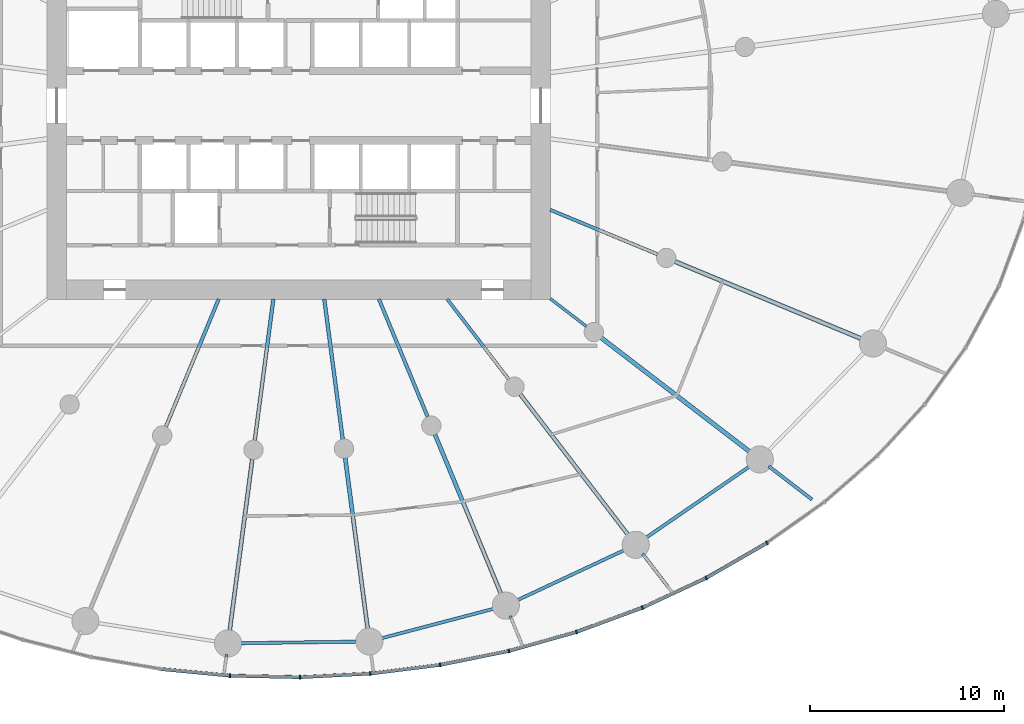
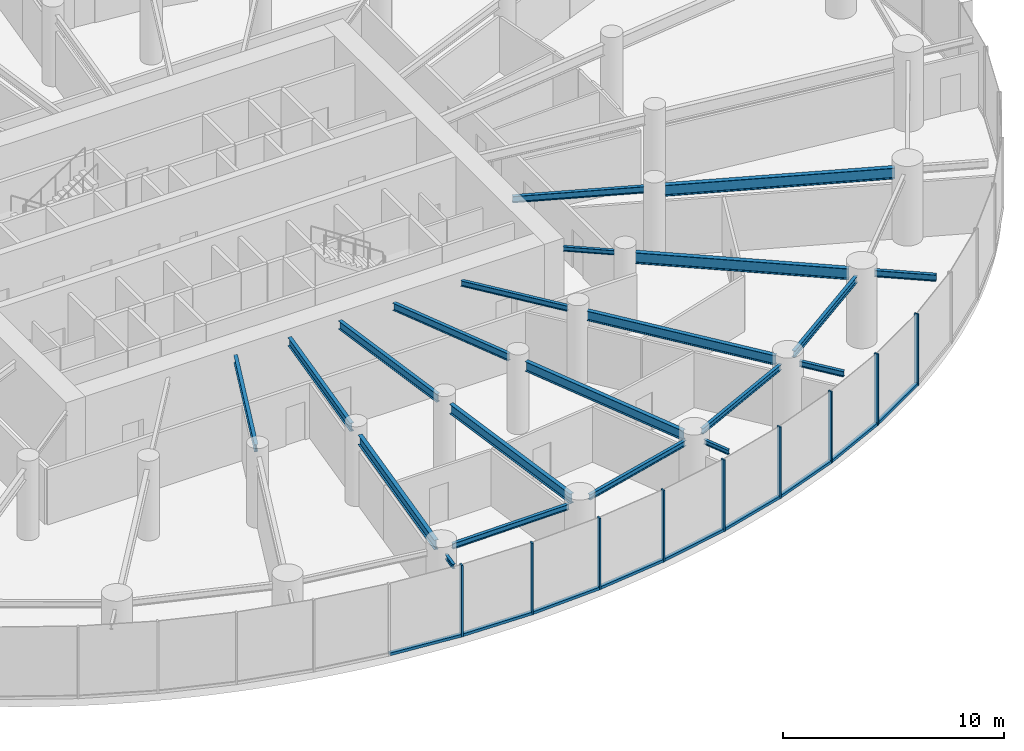
# One storey, part 4 of 19: 21 beams, 18 members, 2 elements without a shape of their own.
"""IFC4 building model written with IfcOpenShell, lengths in metres."""

from ifc_helpers import new_model, si_unit, direction, frame, origin, origin_2d, place, context, subcontext, project, spatial, rectangle, i_section, extrude, source, transform, mapped, material, layer, layer_set, material_profile, profile_set, type_object, element, aggregate, save


model = new_model("IFC4")

# Units and contexts
model_context = context("Model", 3, precision=1e-05, world=origin(), true_north=direction((0.0, 1.0)))
body_context = subcontext(model_context, "Body", "Model", "MODEL_VIEW")
ifc_project = project(units=[si_unit("LENGTHUNIT", "METRE"), si_unit("AREAUNIT", "SQUARE_METRE"), si_unit("VOLUMEUNIT", "CUBIC_METRE"), si_unit("PLANEANGLEUNIT", "RADIAN"), si_unit("MASSUNIT", "GRAM", prefix="KILO")], contexts=[model_context])

# Site, building, storey
site_placement = place(None, origin())
site = spatial("IfcSite", under=ifc_project, at=site_placement, CompositionType="ELEMENT")
building_placement = place(site_placement, origin())
building = spatial("IfcBuilding", under=site, at=building_placement, Name="Spindrift Exchange Tower", CompositionType="ELEMENT")
storey_placement = place(building_placement, frame((0.0, 0.0, 27.0)))
storey = spatial("IfcBuildingStorey", under=building, at=storey_placement, Name="L06", CompositionType="ELEMENT", Elevation=27.0)

# Beams
ifc_material_1 = material(Name="Steel Grade 300", Category="steel")
ifc_material_profile_1 = material_profile(ifc_material_1, i_section(OverallWidth=0.177978515625, OverallDepth=0.406005859375, WebThickness=0.0078125, FlangeThickness=0.0126953125, FilletRadius=0.013916015625, at=origin_2d()), Name="410UB59.7")
ifc_profile_set_1 = profile_set([ifc_material_profile_1], Name="Steel Grade 300")
beam_type_1 = type_object("IfcBeamType", Name="Floor Beam 410UB59.7 Steel Grade 300", PredefinedType="BEAM", material=ifc_profile_set_1)
shared_shape_1 = source(origin(), body_context, "Body", "SweptSolid", [
    extrude(i_section(OverallWidth=0.177978515625, OverallDepth=0.406005859375, WebThickness=0.0078125, FlangeThickness=0.0126953125, FilletRadius=0.013916015625, at=origin_2d()), origin(), (0.0, 0.0, 1.0), 7.150634765625),
])
beam_1_placement = place(storey_placement, frame((47.865478515625, 38.0185546875, 3.7470703125), z_axis=(-0.382665393358, -0.923887004306, 0.0), x_axis=(0.923887004306, -0.382665393358, 0.0)))
element("IfcBeam", 1, at=beam_1_placement, inside=storey, type_object=beam_type_1, Name="L06 radial beam R17A", PredefinedType="BEAM", context=body_context, shape_type="MappedRepresentation", body=[
    mapped(shared_shape_1, transform((0.0, 0.0, 0.0), scale=1.0)),
])
ifc_material_profile_2 = material_profile(ifc_material_1, i_section(OverallWidth=0.18994140625, OverallDepth=0.45703125, WebThickness=0.009033203125, FlangeThickness=0.014404296875, FilletRadius=0.013916015625, at=origin_2d()), Name="460UB74.6")
ifc_profile_set_2 = profile_set([ifc_material_profile_2], Name="Steel Grade 300")
beam_type_2 = type_object("IfcBeamType", Name="Floor Beam 460UB74.6 Steel Grade 300", PredefinedType="BEAM", material=ifc_profile_set_2)
shared_shape_2 = source(origin(), body_context, "Body", "SweptSolid", [
    extrude(i_section(OverallWidth=0.18994140625, OverallDepth=0.45703125, WebThickness=0.009033203125, FlangeThickness=0.014404296875, FilletRadius=0.013916015625, at=origin_2d()), origin(), (0.0, 0.0, 1.0), 7.374267578125),
])
beam_2_placement = place(storey_placement, frame((50.68603515625, 38.019775390625, 3.721435546875), z_axis=(-0.130539295622, -0.99144313619, 0.0), x_axis=(0.99144313619, -0.130539295622, 0.0)))
element("IfcBeam", 2, at=beam_2_placement, inside=storey, type_object=beam_type_2, Name="L06 radial beam R18A", PredefinedType="BEAM", context=body_context, shape_type="MappedRepresentation", body=[
    mapped(shared_shape_2, transform((0.0, 0.0, 0.0), scale=1.0)),
])
ifc_material_profile_3 = material_profile(ifc_material_1, i_section(OverallWidth=0.208984375, OverallDepth=0.532958984375, WebThickness=0.01025390625, FlangeThickness=0.015625, FilletRadius=0.013916015625, at=origin_2d()), Name="530UB92.4")
ifc_profile_set_3 = profile_set([ifc_material_profile_3], Name="Steel Grade 300")
beam_type_3 = type_object("IfcBeamType", Name="Floor Beam 530UB92.4 Steel Grade 300", PredefinedType="BEAM", material=ifc_profile_set_3)
shared_shape_3 = source(origin(), body_context, "Body", "SweptSolid", [
    extrude(i_section(OverallWidth=0.208984375, OverallDepth=0.532958984375, WebThickness=0.01025390625, FlangeThickness=0.015625, FilletRadius=0.013916015625, at=origin_2d()), origin(), (0.0, 0.0, 1.0), 9.020263671875),
])
beam_3_placement = place(storey_placement, frame((49.59814453125, 29.7568359375, 3.68359375), z_axis=(-0.13051122338, -0.991446831944, 0.0), x_axis=(0.991446831944, -0.13051122338, 0.0)))
element("IfcBeam", 3, at=beam_3_placement, inside=storey, type_object=beam_type_3, Name="L06 radial beam R18B", PredefinedType="BEAM", context=body_context, shape_type="MappedRepresentation", body=[
    mapped(shared_shape_3, transform((0.0, 0.0, 0.0), scale=1.0)),
])
shared_shape_4 = source(origin(), body_context, "Body", "SweptSolid", [
    extrude(i_section(OverallWidth=0.18994140625, OverallDepth=0.45703125, WebThickness=0.009033203125, FlangeThickness=0.014404296875, FilletRadius=0.013916015625, at=origin_2d()), origin(), (0.0, 0.0, 1.0), 7.3095703125),
])
beam_4_placement = place(storey_placement, frame((53.31396484375, 38.019775390625, 3.721435546875), z_axis=(0.130527087244, -0.991444743541, 0.0), x_axis=(0.991444743541, 0.130527087244, 0.0)))
element("IfcBeam", 4, at=beam_4_placement, inside=storey, type_object=beam_type_2, Name="L06 radial beam R19A", PredefinedType="BEAM", context=body_context, shape_type="MappedRepresentation", body=[
    mapped(shared_shape_4, transform((0.0, 0.0, 0.0), scale=1.0)),
])
shared_shape_5 = source(origin(), body_context, "Body", "SweptSolid", [
    extrude(i_section(OverallWidth=0.208984375, OverallDepth=0.532958984375, WebThickness=0.01025390625, FlangeThickness=0.015625, FilletRadius=0.013916015625, at=origin_2d()), origin(), (0.0, 0.0, 1.0), 8.98388671875),
])
beam_5_placement = place(storey_placement, frame((54.393310546875, 29.82080078125, 3.68359375), z_axis=(0.130524106785, -0.991445135924, 0.0), x_axis=(0.991445135924, 0.130524106785, 0.0)))
element("IfcBeam", 5, at=beam_5_placement, inside=storey, type_object=beam_type_3, Name="L06 radial beam R19B", PredefinedType="BEAM", context=body_context, shape_type="MappedRepresentation", body=[
    mapped(shared_shape_5, transform((0.0, 0.0, 0.0), scale=1.0)),
])
shared_shape_6 = source(origin(), body_context, "Body", "SweptSolid", [
    extrude(i_section(OverallWidth=0.177978515625, OverallDepth=0.406005859375, WebThickness=0.0078125, FlangeThickness=0.0126953125, FilletRadius=0.013916015625, at=origin_2d()), origin(), (0.0, 0.0, 1.0), 6.594482421875),
])
beam_6_placement = place(storey_placement, frame((56.134521484375, 38.0185546875, 3.7470703125), z_axis=(0.382692929746, -0.92387559851, 0.0), x_axis=(0.92387559851, 0.382692929746, 0.0)))
element("IfcBeam", 6, at=beam_6_placement, inside=storey, type_object=beam_type_1, Name="L06 radial beam R20A", PredefinedType="BEAM", context=body_context, shape_type="MappedRepresentation", body=[
    mapped(shared_shape_6, transform((0.0, 0.0, 0.0), scale=1.0)),
])
shared_shape_7 = source(origin(), body_context, "Body", "SweptSolid", [
    extrude(i_section(OverallWidth=0.208984375, OverallDepth=0.532958984375, WebThickness=0.01025390625, FlangeThickness=0.015625, FilletRadius=0.013916015625, at=origin_2d()), origin(), (0.0, 0.0, 1.0), 8.99658203125),
])
beam_7_placement = place(storey_placement, frame((59.025390625, 31.0390625, 3.68359375), z_axis=(0.382685731718, -0.923878580085, 0.0), x_axis=(0.923878580085, 0.382685731718, 0.0)))
element("IfcBeam", 7, at=beam_7_placement, inside=storey, type_object=beam_type_3, Name="L06 radial beam R20B", PredefinedType="BEAM", context=body_context, shape_type="MappedRepresentation", body=[
    mapped(shared_shape_7, transform((0.0, 0.0, 0.0), scale=1.0)),
])
ifc_material_profile_4 = material_profile(ifc_material_1, i_section(OverallWidth=0.1650390625, OverallDepth=0.303955078125, WebThickness=0.006103515625, FlangeThickness=0.01025390625, FilletRadius=0.011474609375, at=origin_2d()), Name="310UB40.4")
ifc_profile_set_4 = profile_set([ifc_material_profile_4], Name="Steel Grade 300")
beam_type_4 = type_object("IfcBeamType", Name="Floor Beam 310UB40.4 Steel Grade 300", PredefinedType="BEAM", material=ifc_profile_set_4)
shared_shape_8 = source(origin(), body_context, "Body", "SweptSolid", [
    extrude(i_section(OverallWidth=0.1650390625, OverallDepth=0.303955078125, WebThickness=0.006103515625, FlangeThickness=0.01025390625, FilletRadius=0.011474609375, at=origin_2d()), origin(), (0.0, 0.0, 1.0), 5.224609375),
])
beam_8_placement = place(storey_placement, frame((59.6611328125, 38.015869140625, 3.798095703125), z_axis=(0.608741499316, -0.793368632485, 0.0), x_axis=(0.793368632485, 0.608741499316, 0.0)))
element("IfcBeam", 8, at=beam_8_placement, inside=storey, type_object=beam_type_4, Name="L06 radial beam R21A", PredefinedType="BEAM", context=body_context, shape_type="MappedRepresentation", body=[
    mapped(shared_shape_8, transform((0.0, 0.0, 0.0), scale=1.0)),
])
shared_shape_9 = source(origin(), body_context, "Body", "SweptSolid", [
    extrude(i_section(OverallWidth=0.208984375, OverallDepth=0.532958984375, WebThickness=0.01025390625, FlangeThickness=0.015625, FilletRadius=0.013916015625, at=origin_2d()), origin(), (0.0, 0.0, 1.0), 9.227783203125),
])
beam_9_placement = place(storey_placement, frame((63.426025390625, 33.109375, 3.68359375), z_axis=(0.608747534474, -0.79336400175, 0.0), x_axis=(0.79336400175, 0.608747534474, 0.0)))
element("IfcBeam", 9, at=beam_9_placement, inside=storey, type_object=beam_type_3, Name="L06 radial beam R21B", PredefinedType="BEAM", context=body_context, shape_type="MappedRepresentation", body=[
    mapped(shared_shape_9, transform((0.0, 0.0, 0.0), scale=1.0)),
])
ifc_material_profile_5 = material_profile(ifc_material_1, i_section(OverallWidth=0.14599609375, OverallDepth=0.251953125, WebThickness=0.006103515625, FlangeThickness=0.008544921875, FilletRadius=0.011962890625, at=origin_2d()), Name="250UB31.4")
ifc_profile_set_5 = profile_set([ifc_material_profile_5], Name="Steel Grade 300")
beam_type_5 = type_object("IfcBeamType", Name="Floor Beam 250UB31.4 Steel Grade 300", PredefinedType="BEAM", material=ifc_profile_set_5)
shared_shape_10 = source(origin(), body_context, "Body", "SweptSolid", [
    extrude(i_section(OverallWidth=0.14599609375, OverallDepth=0.251953125, WebThickness=0.006103515625, FlangeThickness=0.008544921875, FilletRadius=0.011962890625, at=origin_2d()), origin(), (0.0, 0.0, 1.0), 2.353759765625),
])
beam_10_placement = place(storey_placement, frame((64.984130859375, 38.036865234375, 3.823974609375), z_axis=(0.793367573265, -0.608742879787, 0.0), x_axis=(0.608742879787, 0.793367573265, 0.0)))
element("IfcBeam", 10, at=beam_10_placement, inside=storey, type_object=beam_type_5, Name="L06 radial beam R22A", PredefinedType="BEAM", context=body_context, shape_type="MappedRepresentation", body=[
    mapped(shared_shape_10, transform((0.0, 0.0, 0.0), scale=1.0)),
])
ifc_material_profile_6 = material_profile(ifc_material_1, i_section(OverallWidth=0.22802734375, OverallDepth=0.60693359375, WebThickness=0.01123046875, FlangeThickness=0.017333984375, FilletRadius=0.013916015625, at=origin_2d()), Name="610UB113")
ifc_profile_set_6 = profile_set([ifc_material_profile_6], Name="Steel Grade 300")
beam_type_6 = type_object("IfcBeamType", Name="Floor Beam 610UB113 Steel Grade 300", PredefinedType="BEAM", material=ifc_profile_set_6)
shared_shape_11 = source(origin(), body_context, "Body", "SweptSolid", [
    extrude(i_section(OverallWidth=0.22802734375, OverallDepth=0.60693359375, WebThickness=0.01123046875, FlangeThickness=0.017333984375, FilletRadius=0.013916015625, at=origin_2d()), origin(), (0.0, 0.0, 1.0), 9.73974609375),
])
beam_11_placement = place(storey_placement, frame((67.61328125, 36.01953125, 3.646484375), z_axis=(0.793352119621, -0.608763019814, 0.0), x_axis=(0.608763019814, 0.793352119621, 0.0)))
element("IfcBeam", 11, at=beam_11_placement, inside=storey, type_object=beam_type_6, Name="L06 radial beam R22B", PredefinedType="BEAM", context=body_context, shape_type="MappedRepresentation", body=[
    mapped(shared_shape_11, transform((0.0, 0.0, 0.0), scale=1.0)),
])
ifc_material_profile_7 = material_profile(ifc_material_1, i_section(OverallWidth=0.172119140625, OverallDepth=0.35888671875, WebThickness=0.008056640625, FlangeThickness=0.012939453125, FilletRadius=0.013916015625, at=origin_2d()), Name="360UB56.7")
ifc_profile_set_7 = profile_set([ifc_material_profile_7], Name="Steel Grade 300")
beam_type_7 = type_object("IfcBeamType", Name="Floor Beam 360UB56.7 Steel Grade 300", PredefinedType="BEAM", material=ifc_profile_set_7)
shared_shape_12 = source(origin(), body_context, "Body", "SweptSolid", [
    extrude(i_section(OverallWidth=0.172119140625, OverallDepth=0.35888671875, WebThickness=0.008056640625, FlangeThickness=0.012939453125, FilletRadius=0.013916015625, at=origin_2d()), origin(), (0.0, 0.0, 1.0), 6.004638671875),
])
beam_12_placement = place(storey_placement, frame((64.9814453125, 42.622802734375, 3.7705078125), z_axis=(0.923882044911, -0.38267736684, 0.0), x_axis=(0.38267736684, 0.923882044911, 0.0)))
element("IfcBeam", 12, at=beam_12_placement, inside=storey, type_object=beam_type_7, Name="L06 radial beam R23A", PredefinedType="BEAM", context=body_context, shape_type="MappedRepresentation", body=[
    mapped(shared_shape_12, transform((0.0, 0.0, 0.0), scale=1.0)),
])
shared_shape_13 = source(origin(), body_context, "Body", "SweptSolid", [
    extrude(i_section(OverallWidth=0.22802734375, OverallDepth=0.60693359375, WebThickness=0.01123046875, FlangeThickness=0.017333984375, FilletRadius=0.013916015625, at=origin_2d()), origin(), (0.0, 0.0, 1.0), 10.4912109375),
])
beam_13_placement = place(storey_placement, frame((71.416015625, 39.95751953125, 3.646484375), z_axis=(0.923885231151, -0.382669674342, 0.0), x_axis=(0.382669674342, 0.923885231151, 0.0)))
element("IfcBeam", 13, at=beam_13_placement, inside=storey, type_object=beam_type_6, Name="L06 radial beam R23B", PredefinedType="BEAM", context=body_context, shape_type="MappedRepresentation", body=[
    mapped(shared_shape_13, transform((0.0, 0.0, 0.0), scale=1.0)),
])
ifc_material_profile_8 = material_profile(ifc_material_1, i_section(OverallWidth=0.1650390625, OverallDepth=0.303955078125, WebThickness=0.006103515625, FlangeThickness=0.01025390625, FilletRadius=0.011474609375, at=origin_2d()), Name="310UB40.4")
ifc_profile_set_8 = profile_set([ifc_material_profile_8], Name="Steel Grade 300")
beam_type_8 = type_object("IfcBeamType", Name="Edge Beam 310UB40.4 Steel Grade 300", PredefinedType="SPANDREL", material=ifc_profile_set_8)
shared_shape_14 = source(origin(), body_context, "Body", "SweptSolid", [
    extrude(i_section(OverallWidth=0.1650390625, OverallDepth=0.303955078125, WebThickness=0.006103515625, FlangeThickness=0.01025390625, FilletRadius=0.011474609375, at=origin_2d()), origin(), (0.0, 0.0, 1.0), 6.13720703125),
])
beam_14_placement = place(storey_placement, frame((48.925048828125, 20.24658203125, 3.798095703125), z_axis=(0.999905820907, 0.013724041543, 0.0), x_axis=(-0.013724041543, 0.999905820907, 0.0)))
element("IfcBeam", 14, at=beam_14_placement, inside=storey, type_object=beam_type_8, Name="L06 edge beam E18", PredefinedType="SPANDREL", context=body_context, shape_type="MappedRepresentation", body=[
    mapped(shared_shape_14, transform((0.0, 0.0, 0.0), scale=1.0)),
])
shared_shape_15 = source(origin(), body_context, "Body", "SweptSolid", [
    extrude(i_section(OverallWidth=0.1650390625, OverallDepth=0.303955078125, WebThickness=0.006103515625, FlangeThickness=0.01025390625, FilletRadius=0.011474609375, at=origin_2d()), origin(), (0.0, 0.0, 1.0), 6.128173828125),
])
beam_15_placement = place(storey_placement, frame((56.20263671875, 20.486083984375, 3.798095703125), z_axis=(0.967147261855, 0.254216785216, 0.0), x_axis=(-0.254216785216, 0.967147261855, 0.0)))
element("IfcBeam", 15, at=beam_15_placement, inside=storey, type_object=beam_type_8, Name="L06 edge beam E19", PredefinedType="SPANDREL", context=body_context, shape_type="MappedRepresentation", body=[
    mapped(shared_shape_15, transform((0.0, 0.0, 0.0), scale=1.0)),
])
shared_shape_16 = source(origin(), body_context, "Body", "SweptSolid", [
    extrude(i_section(OverallWidth=0.1650390625, OverallDepth=0.303955078125, WebThickness=0.006103515625, FlangeThickness=0.01025390625, FilletRadius=0.011474609375, at=origin_2d()), origin(), (0.0, 0.0, 1.0), 6.243408203125),
])
beam_16_placement = place(storey_placement, frame((63.2158203125, 22.43701171875, 3.798095703125), z_axis=(0.905791146607, 0.423724437257, 0.0), x_axis=(-0.423724437257, 0.905791146607, 0.0)))
element("IfcBeam", 16, at=beam_16_placement, inside=storey, type_object=beam_type_8, Name="L06 edge beam E20", PredefinedType="SPANDREL", context=body_context, shape_type="MappedRepresentation", body=[
    mapped(shared_shape_16, transform((0.0, 0.0, 0.0), scale=1.0)),
])
ifc_material_profile_9 = material_profile(ifc_material_1, i_section(OverallWidth=0.172119140625, OverallDepth=0.35888671875, WebThickness=0.008056640625, FlangeThickness=0.012939453125, FilletRadius=0.013916015625, at=origin_2d()), Name="360UB56.7")
ifc_profile_set_9 = profile_set([ifc_material_profile_9], Name="Steel Grade 300")
beam_type_9 = type_object("IfcBeamType", Name="Edge Beam 360UB56.7 Steel Grade 300", PredefinedType="SPANDREL", material=ifc_profile_set_9)
shared_shape_17 = source(origin(), body_context, "Body", "SweptSolid", [
    extrude(i_section(OverallWidth=0.172119140625, OverallDepth=0.35888671875, WebThickness=0.008056640625, FlangeThickness=0.012939453125, FilletRadius=0.013916015625, at=origin_2d()), origin(), (0.0, 0.0, 1.0), 6.614990234375),
])
beam_17_placement = place(storey_placement, frame((69.874267578125, 25.6572265625, 3.7705078125), z_axis=(0.823690708835, 0.567039342708, 0.0), x_axis=(-0.567039342708, 0.823690708835, 0.0)))
element("IfcBeam", 17, at=beam_17_placement, inside=storey, type_object=beam_type_9, Name="L06 edge beam E21", PredefinedType="SPANDREL", context=body_context, shape_type="MappedRepresentation", body=[
    mapped(shared_shape_17, transform((0.0, 0.0, 0.0), scale=1.0)),
])
ifc_material_profile_10 = material_profile(ifc_material_1, i_section(OverallWidth=0.14599609375, OverallDepth=0.251953125, WebThickness=0.006103515625, FlangeThickness=0.008544921875, FilletRadius=0.011962890625, at=origin_2d()), Name="250UB31.4")
ifc_profile_set_10 = profile_set([ifc_material_profile_10], Name="Steel Grade 300")
beam_type_10 = type_object("IfcBeamType", Name="Cantilever Beam 250UB31.4 Steel Grade 300", PredefinedType="BEAM", material=ifc_profile_set_10)
shared_shape_18 = source(origin(), body_context, "Body", "SweptSolid", [
    extrude(i_section(OverallWidth=0.14599609375, OverallDepth=0.251953125, WebThickness=0.006103515625, FlangeThickness=0.008544921875, FilletRadius=0.011962890625, at=origin_2d()), origin(), (0.0, 0.0, 1.0), 0.921875),
])
beam_18_placement = place(storey_placement, frame((48.269287109375, 19.66357421875, 3.823974609375), z_axis=(-0.130290104131, -0.991475914365, 0.0), x_axis=(0.991475914365, -0.130290104131, 0.0)))
element("IfcBeam", 18, at=beam_18_placement, inside=storey, type_object=beam_type_10, Name="L06 cantilever beam R18T", PredefinedType="BEAM", context=body_context, shape_type="MappedRepresentation", body=[
    mapped(shared_shape_18, transform((0.0, 0.0, 0.0), scale=1.0)),
])
shared_shape_19 = source(origin(), body_context, "Body", "SweptSolid", [
    extrude(i_section(OverallWidth=0.14599609375, OverallDepth=0.251953125, WebThickness=0.006103515625, FlangeThickness=0.008544921875, FilletRadius=0.011962890625, at=origin_2d()), origin(), (0.0, 0.0, 1.0), 1.39453125),
])
beam_19_placement = place(storey_placement, frame((62.912109375, 21.655517578125, 3.823974609375), z_axis=(0.382712576749, -0.923867459974, 0.0), x_axis=(0.923867459974, 0.382712576749, 0.0)))
element("IfcBeam", 19, at=beam_19_placement, inside=storey, type_object=beam_type_10, Name="L06 cantilever beam R20T", PredefinedType="BEAM", context=body_context, shape_type="MappedRepresentation", body=[
    mapped(shared_shape_19, transform((0.0, 0.0, 0.0), scale=1.0)),
])
ifc_material_profile_11 = material_profile(ifc_material_1, i_section(OverallWidth=0.1650390625, OverallDepth=0.303955078125, WebThickness=0.006103515625, FlangeThickness=0.01025390625, FilletRadius=0.011474609375, at=origin_2d()), Name="310UB40.4")
ifc_profile_set_11 = profile_set([ifc_material_profile_11], Name="Steel Grade 300")
beam_type_11 = type_object("IfcBeamType", Name="Cantilever Beam 310UB40.4 Steel Grade 300", PredefinedType="BEAM", material=ifc_profile_set_11)
shared_shape_20 = source(origin(), body_context, "Body", "SweptSolid", [
    extrude(i_section(OverallWidth=0.1650390625, OverallDepth=0.303955078125, WebThickness=0.006103515625, FlangeThickness=0.01025390625, FilletRadius=0.011474609375, at=origin_2d()), origin(), (0.0, 0.0, 1.0), 2.1640625),
])
beam_20_placement = place(storey_placement, frame((69.749755859375, 24.8681640625, 3.798095703125), z_axis=(0.608772550494, -0.793344806352, 0.0), x_axis=(0.793344806352, 0.608772550494, 0.0)))
element("IfcBeam", 20, at=beam_20_placement, inside=storey, type_object=beam_type_11, Name="L06 cantilever beam R21T", PredefinedType="BEAM", context=body_context, shape_type="MappedRepresentation", body=[
    mapped(shared_shape_20, transform((0.0, 0.0, 0.0), scale=1.0)),
])
ifc_material_profile_12 = material_profile(ifc_material_1, i_section(OverallWidth=0.172119140625, OverallDepth=0.35888671875, WebThickness=0.008056640625, FlangeThickness=0.012939453125, FilletRadius=0.013916015625, at=origin_2d()), Name="360UB56.7")
ifc_profile_set_12 = profile_set([ifc_material_profile_12], Name="Steel Grade 300")
beam_type_12 = type_object("IfcBeamType", Name="Cantilever Beam 360UB56.7 Steel Grade 300", PredefinedType="BEAM", material=ifc_profile_set_12)
shared_shape_21 = source(origin(), body_context, "Body", "SweptSolid", [
    extrude(i_section(OverallWidth=0.172119140625, OverallDepth=0.35888671875, WebThickness=0.008056640625, FlangeThickness=0.012939453125, FilletRadius=0.013916015625, at=origin_2d()), origin(), (0.0, 0.0, 1.0), 2.820556640625),
])
beam_21_placement = place(storey_placement, frame((76.2607421875, 29.384033203125, 3.7705078125), z_axis=(0.793334604379, -0.608785845346, 0.0), x_axis=(0.608785845346, 0.793334604379, 0.0)))
element("IfcBeam", 21, at=beam_21_placement, inside=storey, type_object=beam_type_12, Name="L06 cantilever beam R22T", PredefinedType="BEAM", context=body_context, shape_type="MappedRepresentation", body=[
    mapped(shared_shape_21, transform((0.0, 0.0, 0.0), scale=1.0)),
])

# Curtain wall, members
ifc_material_2 = material(Name="Fritted laminated glass with bronze frame", Category="glass")
ifc_layer = layer(ifc_material_2, 0.199951171875)
ifc_layer_set = layer_set([ifc_layer], Name="ZONE 1 BRONZE FRITTED WALL")
curtain_wall_type = type_object("IfcCurtainWallType", Name="ZONE 1 BRONZE FRITTED WALL", PredefinedType="NOTDEFINED", material=ifc_layer_set)
curtain_wall_1_placement = place(storey_placement, origin())
curtain_wall_1 = element("IfcCurtainWall", 22, at=curtain_wall_1_placement, inside=storey, type_object=curtain_wall_type, Name="L06 Zone 1 Bronze Fritted Wall run 8", PredefinedType="NOTDEFINED")
ifc_material_3 = material(Name="Bronze anodised aluminium", Category="aluminium")
ifc_material_profile_13 = material_profile(ifc_material_3, rectangle(XDim=0.080078125, YDim=0.199951171875, at=origin_2d()), Name="ZONE 1 BRONZE FRITTED WALL MULLION 80X200")
ifc_profile_set_13 = profile_set([ifc_material_profile_13], Name="Bronze anodised aluminium")
member_type_1 = type_object("IfcMemberType", Name="ZONE 1 BRONZE FRITTED WALL MULLION 80X200", PredefinedType="MULLION", material=ifc_profile_set_13)
shared_shape_22 = source(origin(), body_context, "Body", "SweptSolid", [
    extrude(rectangle(XDim=0.080078125, YDim=0.199951171875, at=origin_2d()), origin(), (0.0, 0.0, 1.0), 3.949951171875),
])
member_1_placement = place(storey_placement, frame((48.442138671875, 18.57275390625, 0.0), z_axis=(0.0, 0.0, 1.0), x_axis=(0.998299658242, -0.058290585461, 0.0)))
member_1 = element("IfcMember", 23, at=member_1_placement, type_object=member_type_1, Name="L06 mullion CW-1.44", PredefinedType="MULLION", context=body_context, shape_type="MappedRepresentation", body=[
    mapped(shared_shape_22, transform((0.0, 0.0, 0.0), scale=1.0)),
])
member_2_placement = place(storey_placement, frame((52.068603515625, 18.494384765625, 0.0), z_axis=(0.0, 0.0, 1.0), x_axis=(0.999889854773, 0.014841776243, 0.0)))
member_2 = element("IfcMember", 24, at=member_2_placement, type_object=member_type_1, Name="L06 mullion CW-1.45", PredefinedType="MULLION", context=body_context, shape_type="MappedRepresentation", body=[
    mapped(shared_shape_22, transform((0.0, 0.0, 0.0), scale=1.0)),
])
member_3_placement = place(storey_placement, frame((55.69140625, 18.680419921875, 0.0), z_axis=(0.0, 0.0, 1.0), x_axis=(0.996147182273, 0.087697156448, 0.0)))
member_3 = element("IfcMember", 25, at=member_3_placement, type_object=member_type_1, Name="L06 mullion CW-1.46", PredefinedType="MULLION", context=body_context, shape_type="MappedRepresentation", body=[
    mapped(shared_shape_22, transform((0.0, 0.0, 0.0), scale=1.0)),
])
member_4_placement = place(storey_placement, frame((59.290771484375, 19.130126953125, 0.0), z_axis=(0.0, 0.0, 1.0), x_axis=(0.987006472128, 0.160680502793, 0.0)))
member_4 = element("IfcMember", 26, at=member_4_placement, type_object=member_type_1, Name="L06 mullion CW-1.47", PredefinedType="MULLION", context=body_context, shape_type="MappedRepresentation", body=[
    mapped(shared_shape_22, transform((0.0, 0.0, 0.0), scale=1.0)),
])
member_5_placement = place(storey_placement, frame((62.846923828125, 19.84521484375, 0.0), z_axis=(0.0, 0.0, 1.0), x_axis=(0.972192743579, 0.234182128552, 0.0)))
member_5 = element("IfcMember", 27, at=member_5_placement, type_object=member_type_1, Name="L06 mullion CW-1.48", PredefinedType="MULLION", context=body_context, shape_type="MappedRepresentation", body=[
    mapped(shared_shape_22, transform((0.0, 0.0, 0.0), scale=1.0)),
])

curtain_wall_2_placement = place(storey_placement, origin())
curtain_wall_2 = element("IfcCurtainWall", 28, at=curtain_wall_2_placement, inside=storey, type_object=curtain_wall_type, Name="L06 Zone 1 Bronze Fritted Wall run 9", PredefinedType="NOTDEFINED")
member_6_placement = place(storey_placement, frame((66.338623046875, 20.827880859375, 0.0), z_axis=(0.0, 0.0, 1.0), x_axis=(0.951197566827, 0.308582547889, 0.0)))
member_6 = element("IfcMember", 29, at=member_6_placement, type_object=member_type_1, Name="L06 mullion CW-1.49", PredefinedType="MULLION", context=body_context, shape_type="MappedRepresentation", body=[
    mapped(shared_shape_22, transform((0.0, 0.0, 0.0), scale=1.0)),
])
member_7_placement = place(storey_placement, frame((69.7421875, 22.08203125, 0.0), z_axis=(0.0, 0.0, 1.0), x_axis=(0.923276178306, 0.384136822723, 0.0)))
member_7 = element("IfcMember", 30, at=member_7_placement, type_object=member_type_1, Name="L06 mullion CW-1.50", PredefinedType="MULLION", context=body_context, shape_type="MappedRepresentation", body=[
    mapped(shared_shape_22, transform((0.0, 0.0, 0.0), scale=1.0)),
])
member_8_placement = place(storey_placement, frame((73.03076171875, 23.6123046875, 0.0), z_axis=(0.0, 0.0, 1.0), x_axis=(0.887404020927, 0.460992520159, 0.0)))
member_8 = element("IfcMember", 31, at=member_8_placement, type_object=member_type_1, Name="L06 mullion CW-1.51", PredefinedType="MULLION", context=body_context, shape_type="MappedRepresentation", body=[
    mapped(shared_shape_22, transform((0.0, 0.0, 0.0), scale=1.0)),
])
member_9_placement = place(storey_placement, frame((76.17333984375, 25.423095703125, 0.0), z_axis=(0.0, 0.0, 1.0), x_axis=(0.842218355487, 0.539136570528, 0.0)))
member_9 = element("IfcMember", 32, at=member_9_placement, type_object=member_type_1, Name="L06 mullion CW-1.52", PredefinedType="MULLION", context=body_context, shape_type="MappedRepresentation", body=[
    mapped(shared_shape_22, transform((0.0, 0.0, 0.0), scale=1.0)),
])

# Member
ifc_material_profile_14 = material_profile(ifc_material_3, rectangle(XDim=0.179931640625, YDim=0.14990234375, at=origin_2d()), Name="ZONE 1 BRONZE FRITTED WALL TRANSOM 180X150")
ifc_profile_set_14 = profile_set([ifc_material_profile_14], Name="Bronze anodised aluminium")
member_type_2 = type_object("IfcMemberType", Name="ZONE 1 BRONZE FRITTED WALL TRANSOM 180X150", PredefinedType="USERDEFINED", material=ifc_profile_set_14)
shared_shape_23 = source(origin(), body_context, "Body", "SweptSolid", [
    extrude(rectangle(XDim=0.179931640625, YDim=0.14990234375, at=origin_2d()), origin(), (0.0, 0.0, 1.0), 3.54736328125),
])
member_10_placement = place(storey_placement, frame((48.482177734375, 18.57177734375, 0.074951171875), z_axis=(0.999767963862, -0.021541087127, 0.0), x_axis=(0.021541087127, 0.999767963862, 0.0)))
member_10 = element("IfcMember", 33, at=member_10_placement, type_object=member_type_2, Name="L06 transom CW-1.44", ObjectType="TRANSOM", PredefinedType="USERDEFINED", context=body_context, shape_type="MappedRepresentation", body=[
    mapped(shared_shape_23, transform((0.0, 0.0, 0.0), scale=1.0)),
])

member_11_placement = place(storey_placement, frame((52.108642578125, 18.496337890625, 0.074951171875), z_axis=(0.998684683236, 0.051272833644, 0.0), x_axis=(-0.051272833644, 0.998684683236, 0.0)))
member_11 = element("IfcMember", 34, at=member_11_placement, type_object=member_type_2, Name="L06 transom CW-1.45", ObjectType="TRANSOM", PredefinedType="USERDEFINED", context=body_context, shape_type="MappedRepresentation", body=[
    mapped(shared_shape_23, transform((0.0, 0.0, 0.0), scale=1.0)),
])

member_12_placement = place(storey_placement, frame((55.73095703125, 18.685302734375, 0.074951171875), z_axis=(0.992279994178, 0.124017793696, 0.0), x_axis=(-0.124017793696, 0.992279994178, 0.0)))
member_12 = element("IfcMember", 35, at=member_12_placement, type_object=member_type_2, Name="L06 transom CW-1.46", ObjectType="TRANSOM", PredefinedType="USERDEFINED", context=body_context, shape_type="MappedRepresentation", body=[
    mapped(shared_shape_23, transform((0.0, 0.0, 0.0), scale=1.0)),
])

member_13_placement = place(storey_placement, frame((59.329833984375, 19.13818359375, 0.074951171875), z_axis=(0.980381645788, 0.197108672063, 0.0), x_axis=(-0.197108672063, 0.980381645788, 0.0)))
member_13 = element("IfcMember", 36, at=member_13_placement, type_object=member_type_2, Name="L06 transom CW-1.47", ObjectType="TRANSOM", PredefinedType="USERDEFINED", context=body_context, shape_type="MappedRepresentation", body=[
    mapped(shared_shape_23, transform((0.0, 0.0, 0.0), scale=1.0)),
])

member_14_placement = place(storey_placement, frame((62.885498046875, 19.85595703125, 0.074951171875), z_axis=(0.962589252791, 0.270964813974, 0.0), x_axis=(-0.270964813974, 0.962589252791, 0.0)))
member_14 = element("IfcMember", 37, at=member_14_placement, type_object=member_type_2, Name="L06 transom CW-1.48", ObjectType="TRANSOM", PredefinedType="USERDEFINED", context=body_context, shape_type="MappedRepresentation", body=[
    mapped(shared_shape_23, transform((0.0, 0.0, 0.0), scale=1.0)),
])

shared_shape_24 = source(origin(), body_context, "Body", "SweptSolid", [
    extrude(rectangle(XDim=0.179931640625, YDim=0.14990234375, at=origin_2d()), origin(), (0.0, 0.0, 1.0), 3.547119140625),
])
member_15_placement = place(storey_placement, frame((66.376220703125, 20.841796875, 0.074951171875), z_axis=(0.9383137362, 0.345785095773, 0.0), x_axis=(-0.345785095773, 0.9383137362, 0.0)))
member_15 = element("IfcMember", 38, at=member_15_placement, type_object=member_type_2, Name="L06 transom CW-1.49", ObjectType="TRANSOM", PredefinedType="USERDEFINED", context=body_context, shape_type="MappedRepresentation", body=[
    mapped(shared_shape_24, transform((0.0, 0.0, 0.0), scale=1.0)),
])

member_16_placement = place(storey_placement, frame((69.7783203125, 22.098876953125, 0.074951171875), z_axis=(0.906667854206, 0.421845234831, 0.0), x_axis=(-0.421845234831, 0.906667854206, 0.0)))
member_16 = element("IfcMember", 39, at=member_16_placement, type_object=member_type_2, Name="L06 transom CW-1.50", ObjectType="TRANSOM", PredefinedType="USERDEFINED", context=body_context, shape_type="MappedRepresentation", body=[
    mapped(shared_shape_24, transform((0.0, 0.0, 0.0), scale=1.0)),
])

member_17_placement = place(storey_placement, frame((73.0654296875, 23.632080078125, 0.074951171875), z_axis=(0.866432993059, 0.499293369212, 0.0), x_axis=(-0.499293369212, 0.866432993059, 0.0)))
member_17 = element("IfcMember", 40, at=member_17_placement, type_object=member_type_2, Name="L06 transom CW-1.51", ObjectType="TRANSOM", PredefinedType="USERDEFINED", context=body_context, shape_type="MappedRepresentation", body=[
    mapped(shared_shape_24, transform((0.0, 0.0, 0.0), scale=1.0)),
])

aggregate(curtain_wall_2, [member_6, member_15, member_7, member_16, member_8, member_17, member_9])

shared_shape_25 = source(origin(), body_context, "Body", "SweptSolid", [
    extrude(rectangle(XDim=0.179931640625, YDim=0.14990234375, at=origin_2d()), origin(), (0.0, 0.0, 1.0), 3.547607421875),
])
member_18_placement = place(storey_placement, frame((44.870849609375, 18.9130859375, 0.074951171875), z_axis=(0.995486498294, -0.094903275572, 0.0), x_axis=(0.094903275572, 0.995486498294, 0.0)))
member_18 = element("IfcMember", 41, at=member_18_placement, type_object=member_type_2, Name="L06 transom CW-1.43", ObjectType="TRANSOM", PredefinedType="USERDEFINED", context=body_context, shape_type="MappedRepresentation", body=[
    mapped(shared_shape_25, transform((0.0, 0.0, 0.0), scale=1.0)),
])

aggregate(curtain_wall_1, [member_18, member_1, member_10, member_2, member_11, member_3, member_12, member_4, member_13, member_5, member_14])

save(model, "model.ifc")
